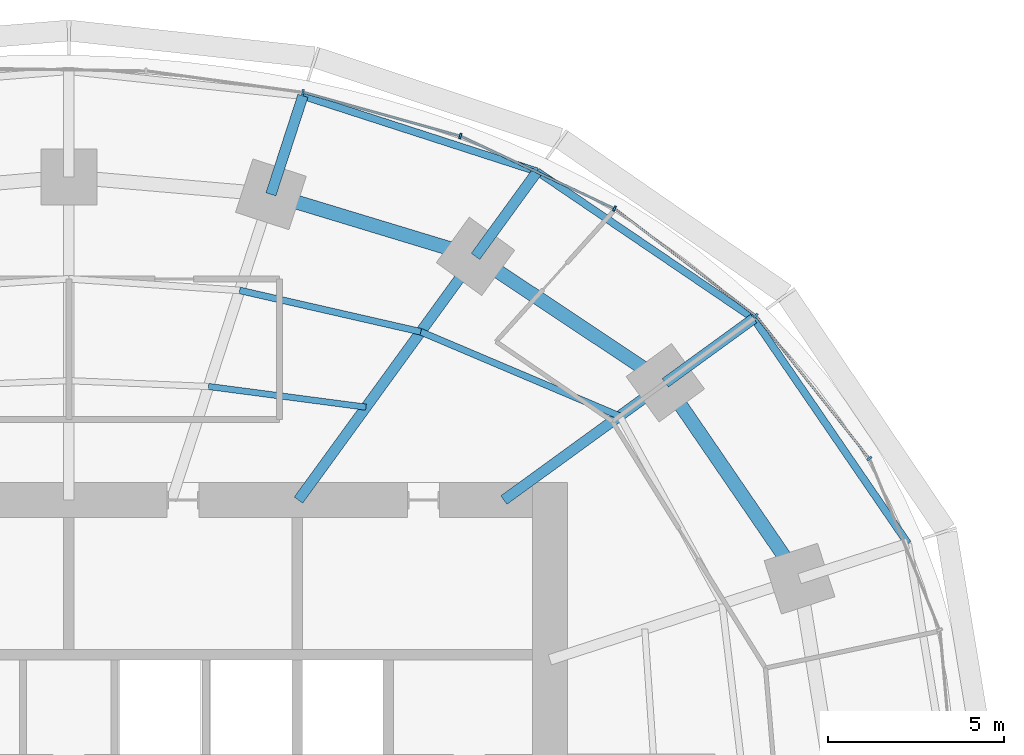
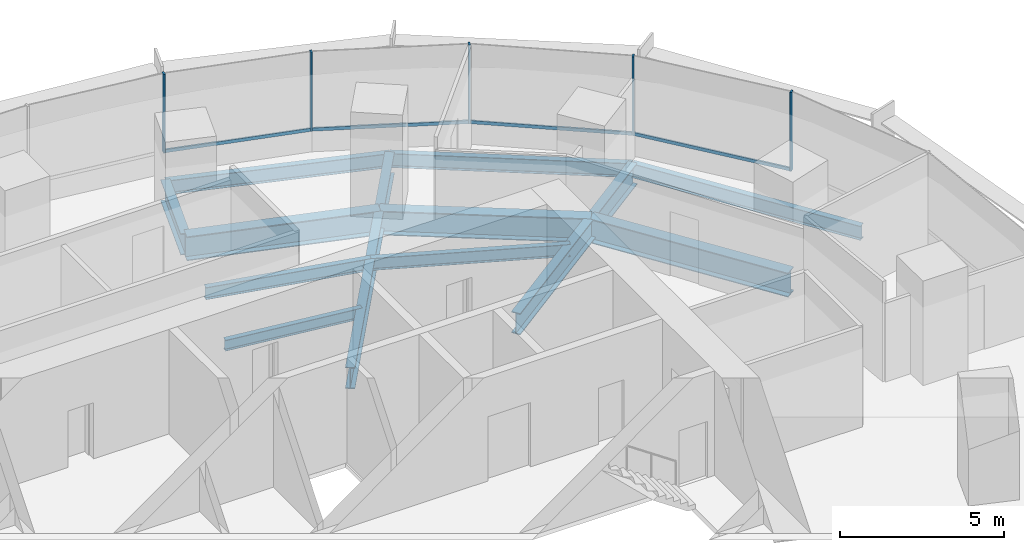
# One storey, part 8 of 14: 14 beams, 9 members, 2 elements without a shape of their own.
"""IFC4 building model written with IfcOpenShell, lengths in metres."""

from ifc_helpers import new_model, si_unit, direction, frame, origin, origin_2d, place, context, subcontext, project, spatial, rectangle, i_section, extrude, material, material_profile, profile_set, type_object, element, aggregate, save


model = new_model("IFC4")

# Units and contexts
model_context = context("Model", 3, precision=1e-05, world=origin(), true_north=direction((0.0, 1.0)))
body_context = subcontext(model_context, "Body", "Model", "MODEL_VIEW")
ifc_project = project(units=[si_unit("LENGTHUNIT", "METRE"), si_unit("AREAUNIT", "SQUARE_METRE"), si_unit("VOLUMEUNIT", "CUBIC_METRE"), si_unit("PLANEANGLEUNIT", "RADIAN"), si_unit("MASSUNIT", "GRAM", prefix="KILO")], contexts=[model_context])

# Site, building, storey
site_placement = place(None, origin())
site = spatial("IfcSite", under=ifc_project, at=site_placement, CompositionType="ELEMENT")
building_placement = place(site_placement, origin())
building = spatial("IfcBuilding", under=site, at=building_placement, Name="Marramba Exchange Tower", CompositionType="ELEMENT")
storey_placement = place(building_placement, frame((0.0, 0.0, 100.199951171875)))
storey = spatial("IfcBuildingStorey", under=building, at=storey_placement, Name="L23", CompositionType="ELEMENT", Elevation=100.199951171875)

# Beams
ifc_material_1 = material(Name="Steel AS/NZS 3679.2 grade 300", Category="steel")
ifc_material_profile_1 = material_profile(ifc_material_1, i_section(OverallWidth=0.300048828125, OverallDepth=0.800048828125, WebThickness=0.013916015625, FlangeThickness=0.031982421875, at=origin_2d()), Name="800WB192")
ifc_profile_set_1 = profile_set([ifc_material_profile_1], Name="Steel AS/NZS 3679.2 grade 300")
beam_type_1 = type_object("IfcBeamType", Name="Cantilever girder 800WB192", PredefinedType="BEAM", material=ifc_profile_set_1)
beam_1_placement = place(storey_placement, frame((16.98583984375, 12.3408203125, -0.56005859375), z_axis=(0.809013970709, 0.58778941399, 0.0), x_axis=(-0.58778941399, 0.809013970709, 0.0)))
element("IfcBeam", 1, at=beam_1_placement, inside=storey, type_object=beam_type_1, Name="Cantilever girder L23 TC03", PredefinedType="BEAM", context=body_context, shape_type="SweptSolid", body=[
    extrude(i_section(OverallWidth=0.300048828125, OverallDepth=0.800048828125, WebThickness=0.013916015625, FlangeThickness=0.031982421875, at=origin_2d()), origin(), (0.0, 0.0, 1.0), 3.1142578125),
])
beam_2_placement = place(storey_placement, frame((11.581298828125, 15.9404296875, -0.56005859375), z_axis=(0.587821738214, 0.808990484544, 0.0), x_axis=(-0.808990484544, 0.587821738214, 0.0)))
element("IfcBeam", 2, at=beam_2_placement, inside=storey, type_object=beam_type_1, Name="Cantilever girder L23 TC04", PredefinedType="BEAM", context=body_context, shape_type="SweptSolid", body=[
    extrude(i_section(OverallWidth=0.300048828125, OverallDepth=0.800048828125, WebThickness=0.013916015625, FlangeThickness=0.031982421875, at=origin_2d()), origin(), (0.0, 0.0, 1.0), 2.987060546875),
])
beam_3_placement = place(storey_placement, frame((5.75390625, 17.70849609375, -0.56005859375), z_axis=(0.309018704887, 0.951055960514, 0.0), x_axis=(-0.951055960514, 0.309018704887, 0.0)))
element("IfcBeam", 3, at=beam_3_placement, inside=storey, type_object=beam_type_1, Name="Cantilever girder L23 TC05", PredefinedType="BEAM", context=body_context, shape_type="SweptSolid", body=[
    extrude(i_section(OverallWidth=0.300048828125, OverallDepth=0.800048828125, WebThickness=0.013916015625, FlangeThickness=0.031982421875, at=origin_2d()), origin(), (0.0, 0.0, 1.0), 2.949951171875),
])
ifc_material_2 = material(Name="Steel AS/NZS 3679.1 grade 300", Category="steel")
ifc_material_profile_2 = material_profile(ifc_material_2, i_section(OverallWidth=0.177978515625, OverallDepth=0.406005859375, WebThickness=0.0078125, FlangeThickness=0.0126953125, FilletRadius=0.011474609375, at=origin_2d()), Name="410UB59.7")
ifc_profile_set_2 = profile_set([ifc_material_profile_2], Name="Steel AS/NZS 3679.1 grade 300")
beam_type_2 = type_object("IfcBeamType", Name="Floor joist 410UB59.7", PredefinedType="JOIST", material=ifc_profile_set_2)
beam_4_placement = place(storey_placement, frame((8.4619140625, 11.646728515625, -0.363037109375), z_axis=(-0.991480538255, 0.130254912618, 0.0), x_axis=(-0.130254912618, -0.991480538255, 0.0)))
element("IfcBeam", 4, at=beam_4_placement, inside=storey, type_object=beam_type_2, Name="Joist L23 bay 04 row 1", PredefinedType="JOIST", context=body_context, shape_type="SweptSolid", body=[
    extrude(i_section(OverallWidth=0.177978515625, OverallDepth=0.406005859375, WebThickness=0.0078125, FlangeThickness=0.0126953125, FilletRadius=0.011474609375, at=origin_2d()), origin(), (0.0, 0.0, 1.0), 4.524658203125),
])
ifc_material_profile_3 = material_profile(ifc_material_2, i_section(OverallWidth=0.18994140625, OverallDepth=0.4541015625, WebThickness=0.008544921875, FlangeThickness=0.0126953125, FilletRadius=0.011474609375, at=origin_2d()), Name="460UB67.1")
ifc_profile_set_3 = profile_set([ifc_material_profile_3], Name="Steel AS/NZS 3679.1 grade 300")
beam_type_3 = type_object("IfcBeamType", Name="Floor joist 460UB67.1", PredefinedType="JOIST", material=ifc_profile_set_3)
beam_5_placement = place(storey_placement, frame((15.682373046875, 11.393798828125, -0.386962890625), z_axis=(-0.920674336375, 0.390331610738, 0.0), x_axis=(-0.390331610738, -0.920674336375, 0.0)))
element("IfcBeam", 5, at=beam_5_placement, inside=storey, type_object=beam_type_3, Name="Joist L23 bay 03 row 2", PredefinedType="JOIST", context=body_context, shape_type="SweptSolid", body=[
    extrude(i_section(OverallWidth=0.18994140625, OverallDepth=0.4541015625, WebThickness=0.008544921875, FlangeThickness=0.0126953125, FilletRadius=0.011474609375, at=origin_2d()), origin(), (0.0, 0.0, 1.0), 6.1484375),
])
beam_6_placement = place(storey_placement, frame((10.021728515625, 13.793701171875, -0.386962890625), z_axis=(-0.974859652292, 0.222819788916, 0.0), x_axis=(-0.222819788916, -0.974859652292, 0.0)))
element("IfcBeam", 6, at=beam_6_placement, inside=storey, type_object=beam_type_3, Name="Joist L23 bay 04 row 2", PredefinedType="JOIST", context=body_context, shape_type="SweptSolid", body=[
    extrude(i_section(OverallWidth=0.18994140625, OverallDepth=0.4541015625, WebThickness=0.008544921875, FlangeThickness=0.0126953125, FilletRadius=0.011474609375, at=origin_2d()), origin(), (0.0, 0.0, 1.0), 5.2900390625),
])

# Curtain wall, members
ifc_material_3 = material(Name="Aluminium framing, bronze anodised", Category="aluminium")
curtain_wall_type = type_object("IfcCurtainWallType", Name="Office ribbon curtain wall", PredefinedType="USERDEFINED", material=ifc_material_3)
curtain_wall_1_placement = place(storey_placement, origin())
curtain_wall_1 = element("IfcCurtainWall", 7, at=curtain_wall_1_placement, inside=storey, type_object=curtain_wall_type, Name="Curtain wall CW4 L23 F01-F05", ObjectType="RIBBON CURTAIN WALL", PredefinedType="USERDEFINED")
ifc_material_4 = material(Name="Aluminium mullion, bronze anodised", Category="aluminium")
ifc_material_profile_4 = material_profile(ifc_material_4, rectangle(XDim=0.159912109375, YDim=0.06005859375, at=origin_2d()), Name="CW4 mullion 60x160")
ifc_profile_set_4 = profile_set([ifc_material_profile_4], Name="Aluminium mullion, bronze anodised")
member_type_1 = type_object("IfcMemberType", Name="Office ribbon curtain wall mullion", PredefinedType="MULLION", material=ifc_profile_set_4)
member_1_placement = place(storey_placement, frame((22.796630859375, 10.181640625, 0.800048828125), z_axis=(0.0, 0.0, 1.0), x_axis=(-0.783563266703, -0.621312004611, 0.0)))
member_1 = element("IfcMember", 8, at=member_1_placement, type_object=member_type_1, Name="CW4 mullion 1", PredefinedType="MULLION", context=body_context, shape_type="SweptSolid", body=[
    extrude(rectangle(XDim=0.159912109375, YDim=0.06005859375, at=origin_2d()), origin(), (0.0, 0.0, 1.0), 2.93994140625),
])
member_2_placement = place(storey_placement, frame((19.5625, 14.24853515625, 0.800048828125), z_axis=(0.0, 0.0, 1.0), x_axis=(-0.60533377223, -0.795971748366, 0.0)))
member_2 = element("IfcMember", 9, at=member_2_placement, type_object=member_type_1, Name="CW4 mullion 1", PredefinedType="MULLION", context=body_context, shape_type="SweptSolid", body=[
    extrude(rectangle(XDim=0.159912109375, YDim=0.06005859375, at=origin_2d()), origin(), (0.0, 0.0, 1.0), 2.93994140625),
])
member_3_placement = place(storey_placement, frame((15.538818359375, 17.300537109375, 0.800048828125), z_axis=(0.0, 0.0, 1.0), x_axis=(-0.426678995157, -0.904403137485, 0.0)))
member_3 = element("IfcMember", 10, at=member_3_placement, type_object=member_type_1, Name="CW4 mullion 1", PredefinedType="MULLION", context=body_context, shape_type="SweptSolid", body=[
    extrude(rectangle(XDim=0.159912109375, YDim=0.06005859375, at=origin_2d()), origin(), (0.0, 0.0, 1.0), 2.93994140625),
])

curtain_wall_2_placement = place(storey_placement, origin())
curtain_wall_2 = element("IfcCurtainWall", 11, at=curtain_wall_2_placement, inside=storey, type_object=curtain_wall_type, Name="Curtain wall CW4 L23 F06-F10", ObjectType="RIBBON CURTAIN WALL", PredefinedType="USERDEFINED")
member_4_placement = place(storey_placement, frame((11.147705078125, 19.366455078125, 0.800048828125), z_axis=(0.0, 0.0, 1.0), x_axis=(-0.268865090816, -0.963177845956, 0.0)))
member_4 = element("IfcMember", 12, at=member_4_placement, type_object=member_type_1, Name="CW4 mullion 1", PredefinedType="MULLION", context=body_context, shape_type="SweptSolid", body=[
    extrude(rectangle(XDim=0.159912109375, YDim=0.06005859375, at=origin_2d()), origin(), (0.0, 0.0, 1.0), 2.93994140625),
])
member_5_placement = place(storey_placement, frame((6.66650390625, 20.61328125, 0.800048828125), z_axis=(0.0, 0.0, 1.0), x_axis=(-0.135785837319, -0.990738212841, 0.0)))
member_5 = element("IfcMember", 13, at=member_5_placement, type_object=member_type_1, Name="CW4 mullion 1", PredefinedType="MULLION", context=body_context, shape_type="SweptSolid", body=[
    extrude(rectangle(XDim=0.159912109375, YDim=0.06005859375, at=origin_2d()), origin(), (0.0, 0.0, 1.0), 2.93994140625),
])

# Member
ifc_material_5 = material(Name="Aluminium transom, bronze anodised", Category="aluminium")
ifc_material_profile_5 = material_profile(ifc_material_5, rectangle(XDim=0.06005859375, YDim=0.1201171875, at=origin_2d()), Name="CW4 transom 60x120")
ifc_profile_set_5 = profile_set([ifc_material_profile_5], Name="Aluminium transom, bronze anodised")
member_type_2 = type_object("IfcMemberType", Name="Office ribbon curtain wall transom", PredefinedType="USERDEFINED", material=ifc_profile_set_5)
member_6_placement = place(storey_placement, frame((22.778076171875, 10.205078125, 0.830078125), z_axis=(-0.621339379472, 0.783541559534, 0.0), x_axis=(-0.783541559534, -0.621339379472, 0.0)))
member_6 = element("IfcMember", 14, at=member_6_placement, type_object=member_type_2, Name="CW4 sill transom", ObjectType="TRANSOM", PredefinedType="USERDEFINED", context=body_context, shape_type="SweptSolid", body=[
    extrude(rectangle(XDim=0.06005859375, YDim=0.1201171875, at=origin_2d()), origin(), (0.0, 0.0, 1.0), 5.13720703125),
])

member_7_placement = place(storey_placement, frame((19.53857421875, 14.2666015625, 0.830078125), z_axis=(-0.7959906025, 0.605308979556, 0.0), x_axis=(-0.605308979556, -0.7959906025, 0.0)))
member_7 = element("IfcMember", 15, at=member_7_placement, type_object=member_type_2, Name="CW4 sill transom", ObjectType="TRANSOM", PredefinedType="USERDEFINED", context=body_context, shape_type="SweptSolid", body=[
    extrude(rectangle(XDim=0.06005859375, YDim=0.1201171875, at=origin_2d()), origin(), (0.0, 0.0, 1.0), 4.99072265625),
])

member_8_placement = place(storey_placement, frame((15.51171875, 17.313232421875, 0.830078125), z_axis=(-0.904410826824, 0.426662696193, 0.0), x_axis=(-0.426662696193, -0.904410826824, 0.0)))
member_8 = element("IfcMember", 16, at=member_8_placement, type_object=member_type_2, Name="CW4 sill transom", ObjectType="TRANSOM", PredefinedType="USERDEFINED", context=body_context, shape_type="SweptSolid", body=[
    extrude(rectangle(XDim=0.06005859375, YDim=0.1201171875, at=origin_2d()), origin(), (0.0, 0.0, 1.0), 4.79345703125),
])

aggregate(curtain_wall_1, [member_1, member_6, member_2, member_7, member_3, member_8])

member_9_placement = place(storey_placement, frame((11.118896484375, 19.37451171875, 0.830078125), z_axis=(-0.963173567938, 0.268880415847, 0.0), x_axis=(-0.268880415847, -0.963173567938, 0.0)))
member_9 = element("IfcMember", 17, at=member_9_placement, type_object=member_type_2, Name="CW4 sill transom", ObjectType="TRANSOM", PredefinedType="USERDEFINED", context=body_context, shape_type="SweptSolid", body=[
    extrude(rectangle(XDim=0.06005859375, YDim=0.1201171875, at=origin_2d()), origin(), (0.0, 0.0, 1.0), 4.591796875),
])

aggregate(curtain_wall_2, [member_4, member_9, member_5])

# Beams
ifc_material_profile_6 = material_profile(ifc_material_1, i_section(OverallWidth=0.300048828125, OverallDepth=0.800048828125, WebThickness=0.013916015625, FlangeThickness=0.031982421875, at=origin_2d()), Name="800WB192")
ifc_profile_set_6 = profile_set([ifc_material_profile_6], Name="Steel AS/NZS 3679.2 grade 300")
beam_type_4 = type_object("IfcBeamType", Name="Radial girder 800WB192", PredefinedType="BEAM", material=ifc_profile_set_6)
beam_7_placement = place(storey_placement, frame((12.387451171875, 9.0, -0.56005859375), z_axis=(0.809025746925, 0.587773205252, 0.0), x_axis=(-0.587773205252, 0.809025746925, 0.0)))
element("IfcBeam", 18, at=beam_7_placement, inside=storey, type_object=beam_type_4, Name="Radial girder L23 TC03", PredefinedType="BEAM", context=body_context, shape_type="SweptSolid", body=[
    extrude(i_section(OverallWidth=0.300048828125, OverallDepth=0.800048828125, WebThickness=0.013916015625, FlangeThickness=0.031982421875, at=origin_2d()), origin(), (0.0, 0.0, 1.0), 5.683837890625),
])
beam_8_placement = place(storey_placement, frame((6.538818359375, 9.0, -0.56005859375), z_axis=(0.587782439969, 0.80901903764, 0.0), x_axis=(-0.80901903764, 0.587782439969, 0.0)))
element("IfcBeam", 19, at=beam_8_placement, inside=storey, type_object=beam_type_4, Name="Radial girder L23 TC04", PredefinedType="BEAM", context=body_context, shape_type="SweptSolid", body=[
    extrude(i_section(OverallWidth=0.300048828125, OverallDepth=0.800048828125, WebThickness=0.013916015625, FlangeThickness=0.031982421875, at=origin_2d()), origin(), (0.0, 0.0, 1.0), 8.578857421875),
])
ifc_material_profile_7 = material_profile(ifc_material_1, i_section(OverallWidth=0.39990234375, OverallDepth=0.89990234375, WebThickness=0.01611328125, FlangeThickness=0.031982421875, at=origin_2d()), Name="900WB282")
ifc_profile_set_7 = profile_set([ifc_material_profile_7], Name="Steel AS/NZS 3679.2 grade 300")
beam_type_5 = type_object("IfcBeamType", Name="Ring beam 900WB282", PredefinedType="SPANDREL", material=ifc_profile_set_7)
beam_9_placement = place(storey_placement, frame((20.808349609375, 6.760986328125, -0.60986328125), z_axis=(-0.56516002054, 0.824981303535, 0.0), x_axis=(-0.824981303535, -0.56516002054, 0.0)))
element("IfcBeam", 20, at=beam_9_placement, inside=storey, type_object=beam_type_5, Name="Ring beam L23 TC02-TC03", PredefinedType="SPANDREL", context=body_context, shape_type="SweptSolid", body=[
    extrude(i_section(OverallWidth=0.39990234375, OverallDepth=0.89990234375, WebThickness=0.01611328125, FlangeThickness=0.031982421875, at=origin_2d()), origin(), (0.0, 0.0, 1.0), 6.763671875),
])
beam_10_placement = place(storey_placement, frame((16.98583984375, 12.3408203125, -0.60986328125), z_axis=(-0.832293151443, 0.554335737673, 0.0), x_axis=(-0.554335737673, -0.832293151443, 0.0)))
element("IfcBeam", 21, at=beam_10_placement, inside=storey, type_object=beam_type_5, Name="Ring beam L23 TC03-TC04", PredefinedType="SPANDREL", context=body_context, shape_type="SweptSolid", body=[
    extrude(i_section(OverallWidth=0.39990234375, OverallDepth=0.89990234375, WebThickness=0.01611328125, FlangeThickness=0.031982421875, at=origin_2d()), origin(), (0.0, 0.0, 1.0), 6.49365234375),
])
beam_11_placement = place(storey_placement, frame((11.581298828125, 15.9404296875, -0.60986328125), z_axis=(-0.956924542524, 0.290336735387, 0.0), x_axis=(-0.290336735387, -0.956924542524, 0.0)))
element("IfcBeam", 22, at=beam_11_placement, inside=storey, type_object=beam_type_5, Name="Ring beam L23 TC04-TC05", PredefinedType="SPANDREL", context=body_context, shape_type="SweptSolid", body=[
    extrude(i_section(OverallWidth=0.39990234375, OverallDepth=0.89990234375, WebThickness=0.01611328125, FlangeThickness=0.031982421875, at=origin_2d()), origin(), (0.0, 0.0, 1.0), 6.089599609375),
])
ifc_material_profile_8 = material_profile(ifc_material_2, i_section(OverallWidth=0.208984375, OverallDepth=0.528076171875, WebThickness=0.009521484375, FlangeThickness=0.01318359375, FilletRadius=0.013916015625, at=origin_2d()), Name="530UB82.0")
ifc_profile_set_8 = profile_set([ifc_material_profile_8], Name="Steel AS/NZS 3679.1 grade 300")
beam_type_6 = type_object("IfcBeamType", Name="Slab edge beam 530UB82.0", PredefinedType="SPANDREL", material=ifc_profile_set_8)
beam_12_placement = place(storey_placement, frame((23.89501953125, 7.763916015625, -0.424072265625), z_axis=(-0.56517400038, 0.824971726361, 0.0), x_axis=(-0.824971726361, -0.56517400038, 0.0)))
element("IfcBeam", 23, at=beam_12_placement, inside=storey, type_object=beam_type_6, Name="Slab edge beam L23 TC02-TC03", PredefinedType="SPANDREL", context=body_context, shape_type="SweptSolid", body=[
    extrude(i_section(OverallWidth=0.208984375, OverallDepth=0.528076171875, WebThickness=0.009521484375, FlangeThickness=0.01318359375, FilletRadius=0.013916015625, at=origin_2d()), origin(), (0.0, 0.0, 1.0), 7.766845703125),
])
beam_13_placement = place(storey_placement, frame((19.50537109375, 14.17138671875, -0.424072265625), z_axis=(-0.827477404833, 0.561499015574, 0.0), x_axis=(-0.561499015574, -0.827477404833, 0.0)))
element("IfcBeam", 24, at=beam_13_placement, inside=storey, type_object=beam_type_6, Name="Slab edge beam L23 TC03-TC04", PredefinedType="SPANDREL", context=body_context, shape_type="SweptSolid", body=[
    extrude(i_section(OverallWidth=0.208984375, OverallDepth=0.528076171875, WebThickness=0.009521484375, FlangeThickness=0.01318359375, FilletRadius=0.013916015625, at=origin_2d()), origin(), (0.0, 0.0, 1.0), 7.454345703125),
])
beam_14_placement = place(storey_placement, frame((13.337158203125, 18.35693359375, -0.424072265625), z_axis=(-0.951496392577, 0.307659901373, 0.0), x_axis=(-0.307659901373, -0.951496392577, 0.0)))
element("IfcBeam", 25, at=beam_14_placement, inside=storey, type_object=beam_type_6, Name="Slab edge beam L23 TC04-TC05", PredefinedType="SPANDREL", context=body_context, shape_type="SweptSolid", body=[
    extrude(i_section(OverallWidth=0.208984375, OverallDepth=0.528076171875, WebThickness=0.009521484375, FlangeThickness=0.01318359375, FilletRadius=0.013916015625, at=origin_2d()), origin(), (0.0, 0.0, 1.0), 7.01171875),
])

save(model, "model.ifc")
